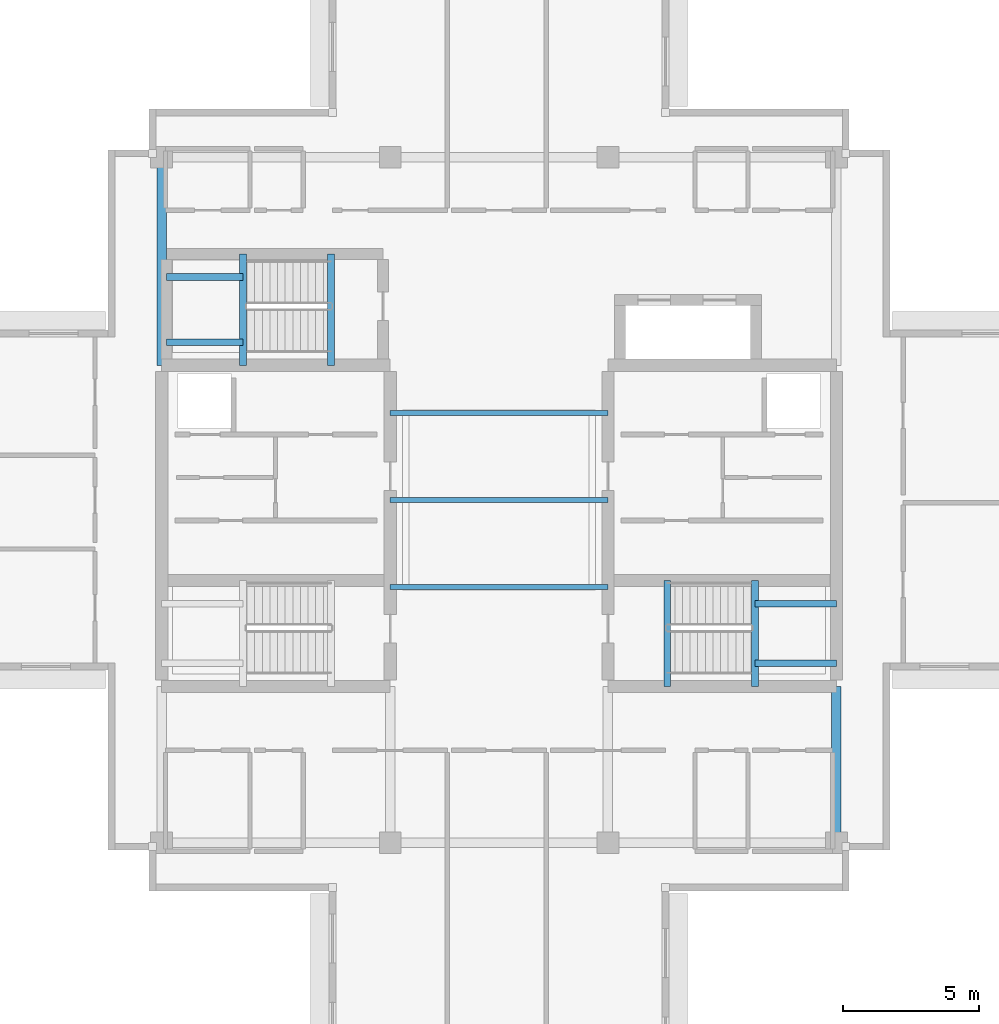
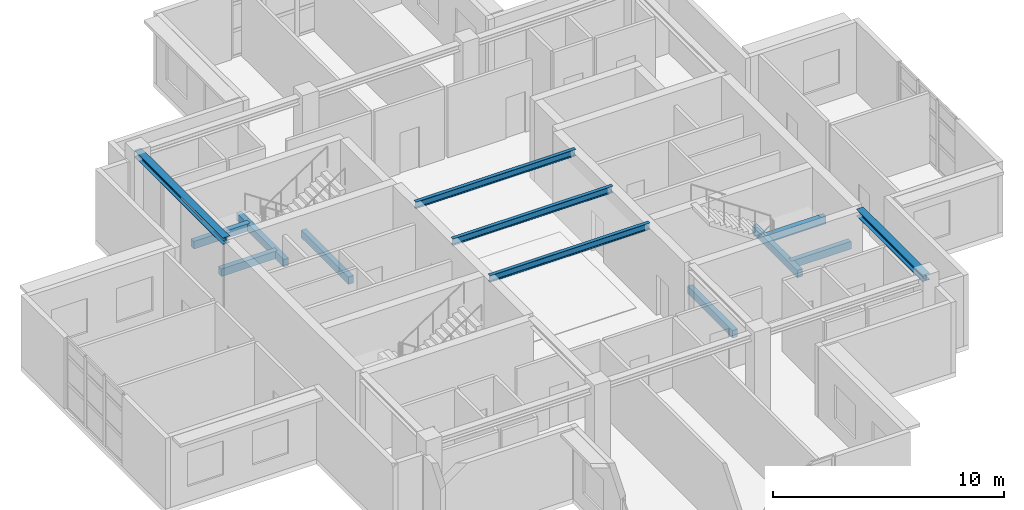
# One storey, part 5 of 16: 13 beams.
"""IFC4 building model written with IfcOpenShell, lengths in metres."""

from ifc_helpers import new_model, si_unit, direction, frame, origin, origin_2d, place, context, subcontext, project, spatial, rectangle, i_section, extrude, material, material_profile, profile_set, type_object, element, save


model = new_model("IFC4")

# Units and contexts
model_context = context("Model", 3, precision=1e-05, world=origin(), true_north=direction((0.0, 1.0)))
body_context = subcontext(model_context, "Body", "Model", "MODEL_VIEW")
ifc_project = project(units=[si_unit("LENGTHUNIT", "METRE"), si_unit("AREAUNIT", "SQUARE_METRE"), si_unit("VOLUMEUNIT", "CUBIC_METRE"), si_unit("PLANEANGLEUNIT", "RADIAN"), si_unit("MASSUNIT", "GRAM", prefix="KILO")], contexts=[model_context])

# Site, building, storey
site_placement = place(None, origin())
site = spatial("IfcSite", under=ifc_project, at=site_placement, CompositionType="ELEMENT")
building_placement = place(site_placement, origin())
building = spatial("IfcBuilding", under=site, at=building_placement, Name="Qingluan Cross Belvedere", CompositionType="ELEMENT")
storey_placement = place(building_placement, frame((0.0, 0.0, 308.39990234375)))
storey = spatial("IfcBuildingStorey", under=building, at=storey_placement, Name="L76", CompositionType="ELEMENT", Elevation=308.39990234375)

# Beams
ifc_material_1 = material(Name="Concrete C45", Category="concrete")
ifc_material_profile_1 = material_profile(ifc_material_1, rectangle(XDim=0.25, YDim=0.39990234375, at=origin_2d()), Name="RC250x400")
ifc_profile_set_1 = profile_set([ifc_material_profile_1], Name="Concrete C45")
beam_type_1 = type_object("IfcBeamType", Name="RC_Lintel_RC250x400", PredefinedType="LINTEL", material=ifc_profile_set_1)
beam_1_placement = place(storey_placement, frame((6.179931640625, -6.85009765625, -0.199951171875), z_axis=(0.0, 1.0, 0.0), x_axis=(-1.0, 0.0, 0.0)))
element("IfcBeam", 1, at=beam_1_placement, inside=storey, type_object=beam_type_1, Name="Stair ST2 landing beam L76", PredefinedType="LINTEL", context=body_context, shape_type="SweptSolid", body=[
    extrude(rectangle(XDim=0.25, YDim=0.39990234375, at=origin_2d()), origin(), (0.0, 0.0, 1.0), 3.89013671875),
])
beam_2_placement = place(storey_placement, frame((-6.179931640625, 4.949951171875, -0.199951171875), z_axis=(0.0, 1.0, 0.0), x_axis=(-1.0, 0.0, 0.0)))
element("IfcBeam", 2, at=beam_2_placement, inside=storey, type_object=beam_type_1, Name="Stair ST3 landing beam L76", PredefinedType="LINTEL", context=body_context, shape_type="SweptSolid", body=[
    extrude(rectangle(XDim=0.25, YDim=0.39990234375, at=origin_2d()), origin(), (0.0, 0.0, 1.0), 4.090087890625),
])
beam_3_placement = place(storey_placement, frame((9.409912109375, -6.85009765625, 1.85009765625), z_axis=(0.0, 1.0, 0.0), x_axis=(-1.0, 0.0, 0.0)))
element("IfcBeam", 3, at=beam_3_placement, inside=storey, type_object=beam_type_1, Name="Stair ST2 beam A L76", PredefinedType="LINTEL", context=body_context, shape_type="SweptSolid", body=[
    extrude(rectangle(XDim=0.25, YDim=0.39990234375, at=origin_2d()), origin(), (0.0, 0.0, 1.0), 3.89013671875),
])
for number, where, z_axis, x_axis, name in (
    (4, (12.39990234375, -6.0, 1.85009765625), (-1.0, 0.0, 0.0), (0.0, -1.0, 0.0), "Stair ST2 beam B L76"),
    (5, (12.39990234375, -3.81005859375, 1.85009765625), (-1.0, 0.0, 0.0), (0.0, -1.0, 0.0), "Stair ST2 beam C L76"),
):
    element("IfcBeam", number, at=place(storey_placement, frame(where, z_axis=z_axis, x_axis=x_axis)), inside=storey, type_object=beam_type_1, Name=name, PredefinedType="LINTEL", context=body_context, shape_type="SweptSolid", body=[
        extrude(rectangle(XDim=0.25, YDim=0.39990234375, at=origin_2d()), origin(), (0.0, 0.0, 1.0), 2.989990234375),
    ])
beam_4_placement = place(storey_placement, frame((-9.409912109375, 4.949951171875, 1.85009765625), z_axis=(0.0, 1.0, 0.0), x_axis=(-1.0, 0.0, 0.0)))
element("IfcBeam", 6, at=beam_4_placement, inside=storey, type_object=beam_type_1, Name="Stair ST3 beam A L76", PredefinedType="LINTEL", context=body_context, shape_type="SweptSolid", body=[
    extrude(rectangle(XDim=0.25, YDim=0.39990234375, at=origin_2d()), origin(), (0.0, 0.0, 1.0), 4.090087890625),
])
for number, where, z_axis, x_axis, name in (
    (7, (-12.219970703125, 5.800048828125, 1.85009765625), (1.0, 0.0, 0.0), (0.0, 1.0, 0.0), "Stair ST3 beam B L76"),
    (8, (-12.219970703125, 8.18994140625, 1.85009765625), (1.0, 0.0, 0.0), (0.0, 1.0, 0.0), "Stair ST3 beam C L76"),
):
    element("IfcBeam", number, at=place(storey_placement, frame(where, z_axis=z_axis, x_axis=x_axis)), inside=storey, type_object=beam_type_1, Name=name, PredefinedType="LINTEL", context=body_context, shape_type="SweptSolid", body=[
        extrude(rectangle(XDim=0.25, YDim=0.39990234375, at=origin_2d()), origin(), (0.0, 0.0, 1.0), 2.81005859375),
    ])
ifc_material_2 = material(Name="Steel Q420GJB", Category="steel")
ifc_material_profile_2 = material_profile(ifc_material_2, i_section(OverallWidth=0.175048828125, OverallDepth=0.35009765625, WebThickness=0.007080078125, FlangeThickness=0.010986328125, FilletRadius=0.012939453125, at=origin_2d()), Name="HN350x175x7x11")
ifc_profile_set_2 = profile_set([ifc_material_profile_2], Name="Steel Q420GJB")
beam_type_2 = type_object("IfcBeamType", Name="Steel_Beam_HN350x175x7x11", PredefinedType="JOIST", material=ifc_profile_set_2)
for number, where, z_axis, x_axis, name in (
    (9, (-4.0, -3.199951171875, 4.0751953125), (1.0, 0.0, 0.0), (0.0, 1.0, 0.0), "Hall beam L76-CH1"),
    (10, (-4.0, 0.0, 4.0751953125), (1.0, 0.0, 0.0), (0.0, 1.0, 0.0), "Hall beam L76-CH2"),
    (11, (-4.0, 3.199951171875, 4.0751953125), (1.0, 0.0, 0.0), (0.0, 1.0, 0.0), "Hall beam L76-CH3"),
):
    element("IfcBeam", number, at=place(storey_placement, frame(where, z_axis=z_axis, x_axis=x_axis)), inside=storey, type_object=beam_type_2, Name=name, PredefinedType="JOIST", context=body_context, shape_type="SweptSolid", body=[
        extrude(i_section(OverallWidth=0.175048828125, OverallDepth=0.35009765625, WebThickness=0.007080078125, FlangeThickness=0.010986328125, FilletRadius=0.012939453125, at=origin_2d()), origin(), (0.0, 0.0, 1.0), 8.0),
    ])
ifc_material_3 = material(Name="Steel Q420GJB", Category="steel")
ifc_material_profile_3 = material_profile(ifc_material_3, i_section(OverallWidth=0.35009765625, OverallDepth=0.35009765625, WebThickness=0.011962890625, FlangeThickness=0.01904296875, FilletRadius=0.02001953125, at=origin_2d()), Name="HW350x350x12x19")
ifc_profile_set_3 = profile_set([ifc_material_profile_3], Name="Steel Q420GJB")
beam_type_3 = type_object("IfcBeamType", Name="Steel_Girder_HW350x350x12x19", PredefinedType="USERDEFINED", material=ifc_profile_set_3)
beam_5_placement = place(storey_placement, frame((-12.39990234375, 4.949951171875, 4.0751953125), z_axis=(0.0, 1.0, 0.0), x_axis=(-1.0, 0.0, 0.0)))
element("IfcBeam", 12, at=beam_5_placement, inside=storey, type_object=beam_type_3, Name="Hub girder L76-HG-W2", ObjectType="GIRDER", PredefinedType="USERDEFINED", context=body_context, shape_type="SweptSolid", body=[
    extrude(i_section(OverallWidth=0.35009765625, OverallDepth=0.35009765625, WebThickness=0.011962890625, FlangeThickness=0.01904296875, FilletRadius=0.02001953125, at=origin_2d()), origin(), (0.0, 0.0, 1.0), 7.650146484375),
])
beam_6_placement = place(storey_placement, frame((12.39990234375, -12.60009765625, 4.0751953125), z_axis=(0.0, 1.0, 0.0), x_axis=(-1.0, 0.0, 0.0)))
element("IfcBeam", 13, at=beam_6_placement, inside=storey, type_object=beam_type_3, Name="Hub girder L76-HG-E1", ObjectType="GIRDER", PredefinedType="USERDEFINED", context=body_context, shape_type="SweptSolid", body=[
    extrude(i_section(OverallWidth=0.35009765625, OverallDepth=0.35009765625, WebThickness=0.011962890625, FlangeThickness=0.01904296875, FilletRadius=0.02001953125, at=origin_2d()), origin(), (0.0, 0.0, 1.0), 5.75),
])

save(model, "model.ifc")
